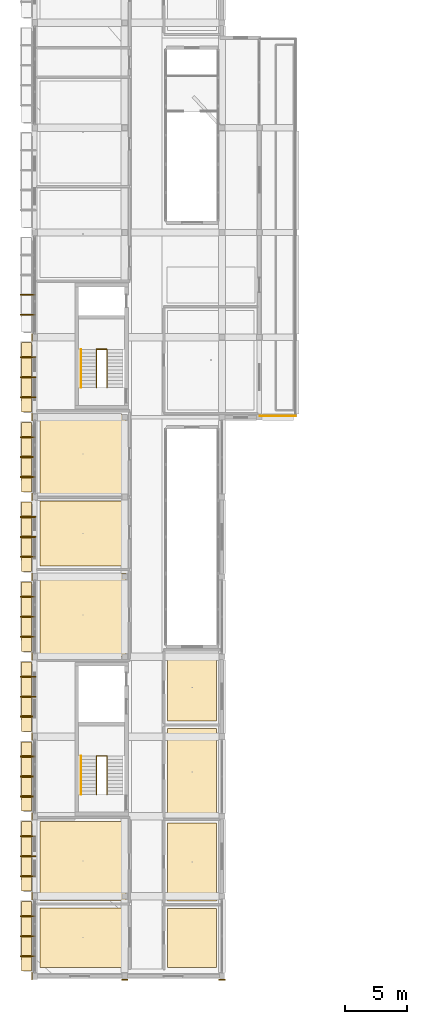
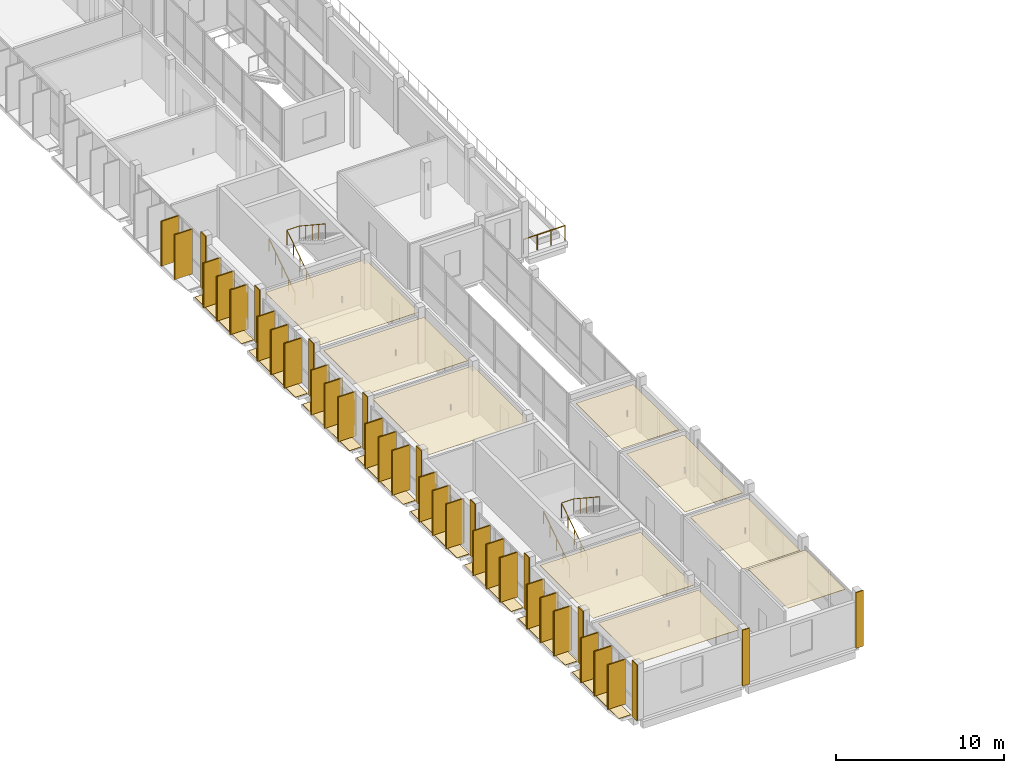
# One storey, part 77 of 86: 54 coverings, 26 shading devices, 5 railings.
"""IFC4 building model written with IfcOpenShell, lengths in metres."""

from ifc_helpers import new_model, si_unit, derived_unit, direction, frame, origin, origin_2d, place, context, subcontext, project, spatial, polyline, rectangle, circle, outline, extrude, material, layer, layer_set, type_object, element, save


model = new_model("IFC4")

# Units and contexts
model_context = context("Model", 3, precision=1e-05, world=origin(), true_north=direction((0.0, 1.0)))
body_context = subcontext(model_context, "Body", "Model", "MODEL_VIEW")
ifc_project = project(units=[si_unit("LENGTHUNIT", "METRE"), si_unit("AREAUNIT", "SQUARE_METRE"), si_unit("VOLUMEUNIT", "CUBIC_METRE"), si_unit("PLANEANGLEUNIT", "RADIAN"), si_unit("MASSUNIT", "GRAM", prefix="KILO"), derived_unit("THERMALTRANSMITTANCEUNIT", [(si_unit("POWERUNIT", "WATT"), 1), (si_unit("LENGTHUNIT", "METRE"), -2), (si_unit("THERMODYNAMICTEMPERATUREUNIT", "KELVIN"), -1)])], contexts=[model_context])

# Site, building, storey
site_placement = place(None, origin())
site = spatial("IfcSite", under=ifc_project, at=site_placement, CompositionType="ELEMENT")
building_placement = place(site_placement, origin())
building = spatial("IfcBuilding", under=site, at=building_placement, Name="Braskholm Square Health Centre", CompositionType="ELEMENT")
storey_placement = place(building_placement, frame((0.0, 0.0, 13.5)))
storey = spatial("IfcBuildingStorey", under=building, at=storey_placement, Name="L04", CompositionType="ELEMENT", Elevation=13.5)

# Coverings
ifc_material_1 = material(Name="Fire-rated gypsum board barrier")
ifc_layer_1 = layer(ifc_material_1, 0.02490234375)
ifc_layer_set_1 = layer_set([ifc_layer_1], Name="Fire-rated gypsum board barrier")
covering_type_1 = type_object("IfcCoveringType", Name="AcousticClinicalCeilingTile", PredefinedType="CEILING", material=ifc_layer_set_1)
covering_1_placement = place(storey_placement, frame((0.0, 0.0, 3.3349609375)))
element("IfcCovering", 1, at=covering_1_placement, inside=storey, type_object=covering_type_1, Name="Acoustic ceiling L04-098", PredefinedType="CEILING", context=body_context, shape_type="SweptSolid", body=[
    extrude(outline(polyline([(4.6201171875, 4.89990234375), (11.5, 4.89990234375), (11.5, 9.669921875), (4.6201171875, 9.669921875), (4.6201171875, 4.89990234375)])), origin(), (0.0, 0.0, 1.0), 0.025146484375),
])
covering_2_placement = place(storey_placement, frame((0.0, 0.0, 3.31494140625)))
element("IfcCovering", 2, at=covering_2_placement, inside=storey, type_object=covering_type_1, Name="Acoustic ceiling L04-099", PredefinedType="CEILING", context=body_context, shape_type="SweptSolid", body=[
    extrude(outline(polyline([(4.6201171875, 10.27001953125), (11.5, 10.27001953125), (11.5, 16.60009765625), (4.6201171875, 16.60009765625), (4.6201171875, 10.27001953125)])), origin(), (0.0, 0.0, 1.0), 0.025146484375),
])
covering_3_placement = place(storey_placement, frame((0.0, 0.0, 3.31494140625)))
element("IfcCovering", 3, at=covering_3_placement, inside=storey, type_object=covering_type_1, Name="Acoustic ceiling L04-100", PredefinedType="CEILING", context=body_context, shape_type="SweptSolid", body=[
    extrude(outline(polyline([(4.6201171875, 29.800048828125), (11.5, 29.800048828125), (11.5, 36.47998046875), (4.6201171875, 36.47998046875), (4.6201171875, 29.800048828125)])), origin(), (0.0, 0.0, 1.0), 0.025146484375),
])
covering_4_placement = place(storey_placement, frame((0.0, 0.0, 3.31494140625)))
element("IfcCovering", 4, at=covering_4_placement, inside=storey, type_object=covering_type_1, Name="Acoustic ceiling L04-101", PredefinedType="CEILING", context=body_context, shape_type="SweptSolid", body=[
    extrude(outline(polyline([(4.6201171875, 37.080078125), (11.5, 37.080078125), (11.5, 42.280029296875), (4.6201171875, 42.280029296875), (4.6201171875, 37.080078125)])), origin(), (0.0, 0.0, 1.0), 0.025146484375),
])
covering_5_placement = place(storey_placement, frame((0.0, 0.0, 3.31494140625)))
element("IfcCovering", 5, at=covering_5_placement, inside=storey, type_object=covering_type_1, Name="Acoustic ceiling L04-102", PredefinedType="CEILING", context=body_context, shape_type="SweptSolid", body=[
    extrude(outline(polyline([(4.6201171875, 42.8798828125), (11.5, 42.8798828125), (11.5, 49.199951171875), (4.6201171875, 49.199951171875), (4.6201171875, 42.8798828125)])), origin(), (0.0, 0.0, 1.0), 0.025146484375),
])
covering_6_placement = place(storey_placement, frame((0.0, 0.0, 3.715087890625)))
element("IfcCovering", 6, at=covering_6_placement, inside=storey, type_object=covering_type_1, Name="Acoustic ceiling L04-110", PredefinedType="CEILING", context=body_context, shape_type="SweptSolid", body=[
    extrude(outline(polyline([(14.85009765625, 4.89990234375), (18.780029296875, 4.89990234375), (18.780029296875, 9.6201171875), (14.85009765625, 9.6201171875), (14.85009765625, 4.89990234375)])), origin(), (0.0, 0.0, 1.0), 0.02490234375),
])
covering_7_placement = place(storey_placement, frame((0.0, 0.0, 3.31494140625)))
element("IfcCovering", 7, at=covering_7_placement, inside=storey, type_object=covering_type_1, Name="Acoustic ceiling L04-111", PredefinedType="CEILING", context=body_context, shape_type="SweptSolid", body=[
    extrude(outline(polyline([(14.85009765625, 10.219970703125), (18.780029296875, 10.219970703125), (18.780029296875, 16.469970703125), (14.85009765625, 16.469970703125), (14.85009765625, 10.219970703125)])), origin(), (0.0, 0.0, 1.0), 0.025146484375),
])
covering_8_placement = place(storey_placement, frame((0.0, 0.0, 3.31494140625)))
element("IfcCovering", 8, at=covering_8_placement, inside=storey, type_object=covering_type_1, Name="Acoustic ceiling L04-112", PredefinedType="CEILING", context=body_context, shape_type="SweptSolid", body=[
    extrude(outline(polyline([(14.85009765625, 17.070068359375), (18.780029296875, 17.070068359375), (18.780029296875, 24.030029296875), (14.85009765625, 24.030029296875), (14.85009765625, 17.070068359375)])), origin(), (0.0, 0.0, 1.0), 0.025146484375),
])
covering_9_placement = place(storey_placement, frame((0.0, 0.0, 3.31494140625)))
element("IfcCovering", 9, at=covering_9_placement, inside=storey, type_object=covering_type_1, Name="Acoustic ceiling L04-113", PredefinedType="CEILING", context=body_context, shape_type="SweptSolid", body=[
    extrude(outline(polyline([(14.85009765625, 24.6298828125), (18.780029296875, 24.6298828125), (18.780029296875, 30.050048828125), (14.85009765625, 30.050048828125), (14.85009765625, 24.6298828125)])), origin(), (0.0, 0.0, 1.0), 0.025146484375),
])

# Railings
ifc_material_2 = material(Name="Dark patinated chevron architectural bronze", Category="aluminium")
railing_type_1 = type_object("IfcRailingType", Name="BronzeChevronGuardrail1100", PredefinedType="GUARDRAIL", material=ifc_material_2)
railing_1_placement = place(storey_placement, frame((9.1298828125, 18.760009765625, 0.0)))
element("IfcRailing", 10, at=railing_1_placement, inside=storey, type_object=railing_type_1, Name="Stair ST-01 inner well guardrail L04", PredefinedType="GUARDRAIL", context=body_context, shape_type="SweptSolid", body=[
    extrude(circle(Radius=0.02392578125, at=origin_2d()), frame((0.0, 0.0, 1.076171875), z_axis=(0.0, 0.835599505946, 0.549339117178), x_axis=(-1.0, 0.0, 0.0)), (0.0, 0.0, 1.0), 3.68603515625),
    extrude(circle(Radius=0.02392578125, at=origin_2d()), frame((0.0, 3.080078125, 3.10107421875), z_axis=(1.0, 0.0, 0.0), x_axis=(0.0, 1.0, 0.0)), (0.0, 0.0, 1.0), 0.840087890625),
    extrude(circle(Radius=0.02392578125, at=origin_2d()), frame((0.840087890625, 3.080078125, 3.10107421875), z_axis=(0.0, -0.83556910286, 0.549385360512), x_axis=(1.0, 0.0, 0.0)), (0.0, 0.0, 1.0), 3.686279296875),
    extrude(circle(Radius=0.02099609375, at=origin_2d()), origin(), (0.0, 0.0, 1.0), 1.052001953125),
    extrude(circle(Radius=0.02099609375, at=origin_2d()), frame((0.0, 0.77001953125, 0.50634765625)), (0.0, 0.0, 1.0), 1.052001953125),
    extrude(circle(Radius=0.02099609375, at=origin_2d()), frame((0.0, 1.5400390625, 1.012451171875)), (0.0, 0.0, 1.0), 1.052001953125),
    extrude(circle(Radius=0.02099609375, at=origin_2d()), frame((0.0, 2.31005859375, 1.5185546875)), (0.0, 0.0, 1.0), 1.052001953125),
    extrude(circle(Radius=0.02099609375, at=origin_2d()), frame((0.0, 3.080078125, 2.02490234375)), (0.0, 0.0, 1.0), 1.052001953125),
    extrude(circle(Radius=0.02099609375, at=origin_2d()), frame((0.840087890625, 3.080078125, 2.02490234375)), (0.0, 0.0, 1.0), 1.052001953125),
    extrude(circle(Radius=0.02099609375, at=origin_2d()), frame((0.840087890625, 2.31005859375, 2.53125)), (0.0, 0.0, 1.0), 1.052001953125),
    extrude(circle(Radius=0.02099609375, at=origin_2d()), frame((0.840087890625, 1.5400390625, 3.03759765625)), (0.0, 0.0, 1.0), 1.052001953125),
    extrude(circle(Radius=0.02099609375, at=origin_2d()), frame((0.840087890625, 0.77001953125, 3.543701171875)), (0.0, 0.0, 1.0), 1.052001953125),
    extrude(circle(Radius=0.02099609375, at=origin_2d()), frame((0.840087890625, 0.0, 4.050048828125)), (0.0, 0.0, 1.0), 1.052001953125),
])
railing_2_placement = place(storey_placement, frame((9.1298828125, 51.360107421875, 0.0)))
element("IfcRailing", 11, at=railing_2_placement, inside=storey, type_object=railing_type_1, Name="Stair ST-02 inner well guardrail L04", PredefinedType="GUARDRAIL", context=body_context, shape_type="SweptSolid", body=[
    extrude(circle(Radius=0.02392578125, at=origin_2d()), frame((0.0, 0.0, 1.076171875), z_axis=(0.0, 0.83557951683, 0.54936952141), x_axis=(-1.0, 0.0, 0.0)), (0.0, 0.0, 1.0), 3.685791015625),
    extrude(circle(Radius=0.02392578125, at=origin_2d()), frame((0.0, 3.079833984375, 3.10107421875), z_axis=(1.0, 0.0, 0.0), x_axis=(0.0, 1.0, 0.0)), (0.0, 0.0, 1.0), 0.840087890625),
    extrude(circle(Radius=0.02392578125, at=origin_2d()), frame((0.840087890625, 3.079833984375, 3.10107421875), z_axis=(0.0, -0.835549111106, 0.549415765091), x_axis=(1.0, 0.0, 0.0)), (0.0, 0.0, 1.0), 3.68603515625),
    extrude(circle(Radius=0.02099609375, at=origin_2d()), origin(), (0.0, 0.0, 1.0), 1.052001953125),
    extrude(circle(Radius=0.02099609375, at=origin_2d()), frame((0.0, 0.77001953125, 0.50634765625)), (0.0, 0.0, 1.0), 1.052001953125),
    extrude(circle(Radius=0.02099609375, at=origin_2d()), frame((0.0, 1.5400390625, 1.012451171875)), (0.0, 0.0, 1.0), 1.052001953125),
    extrude(circle(Radius=0.02099609375, at=origin_2d()), frame((0.0, 2.309814453125, 1.5185546875)), (0.0, 0.0, 1.0), 1.052001953125),
    extrude(circle(Radius=0.02099609375, at=origin_2d()), frame((0.0, 3.079833984375, 2.02490234375)), (0.0, 0.0, 1.0), 1.052001953125),
    extrude(circle(Radius=0.02099609375, at=origin_2d()), frame((0.840087890625, 3.079833984375, 2.02490234375)), (0.0, 0.0, 1.0), 1.052001953125),
    extrude(circle(Radius=0.02099609375, at=origin_2d()), frame((0.840087890625, 2.309814453125, 2.53125)), (0.0, 0.0, 1.0), 1.052001953125),
    extrude(circle(Radius=0.02099609375, at=origin_2d()), frame((0.840087890625, 1.5400390625, 3.03759765625)), (0.0, 0.0, 1.0), 1.052001953125),
    extrude(circle(Radius=0.02099609375, at=origin_2d()), frame((0.840087890625, 0.77001953125, 3.543701171875)), (0.0, 0.0, 1.0), 1.052001953125),
    extrude(circle(Radius=0.02099609375, at=origin_2d()), frame((0.840087890625, 0.0, 4.050048828125)), (0.0, 0.0, 1.0), 1.052001953125),
])
railing_3_placement = place(storey_placement, frame((22.25, 49.10009765625, 0.0)))
element("IfcRailing", 12, at=railing_3_placement, inside=storey, type_object=railing_type_1, Name="Bronze chevron guardrail 0041 L04", PredefinedType="GUARDRAIL", context=body_context, shape_type="SweptSolid", body=[
    extrude(circle(Radius=0.02392578125, at=origin_2d()), frame((0.0, 0.0, 1.076171875), z_axis=(1.0, 0.0, 0.0), x_axis=(0.0, 1.0, 0.0)), (0.0, 0.0, 1.0), 2.85009765625),
    extrude(circle(Radius=0.02099609375, at=origin_2d()), origin(), (0.0, 0.0, 1.0), 1.052001953125),
    extrude(circle(Radius=0.02099609375, at=origin_2d()), frame((0.949951171875, 0.0, 0.0)), (0.0, 0.0, 1.0), 1.052001953125),
    extrude(circle(Radius=0.02099609375, at=origin_2d()), frame((1.900146484375, 0.0, 0.0)), (0.0, 0.0, 1.0), 1.052001953125),
    extrude(circle(Radius=0.02099609375, at=origin_2d()), frame((2.85009765625, 0.0, 0.0)), (0.0, 0.0, 1.0), 1.052001953125),
])

# Shading devices
ifc_material_3 = material(Name="Thermally modified western red cedar with bronze trim", Category="wood")
shading_device_type = type_object("IfcShadingDeviceType", Name="CedarBronzeShadingFin1250", PredefinedType="USERDEFINED", material=ifc_material_3)
for number, where, z_axis, x_axis, name in (
    (13, (3.635009765625, 5.800048828125, 0.0), (0.0, 0.0, 1.0), (1.0, 0.0, 0.0), "Warm cedar-bronze vertical shading slat 0103"),
    (14, (3.635009765625, 7.39990234375, 0.0), (0.0, 0.0, 1.0), (1.0, 0.0, 0.0), "Warm cedar-bronze vertical shading slat 0104"),
    (15, (3.635009765625, 9.0, 0.0), (0.0, 0.0, 1.0), (1.0, 0.0, 0.0), "Warm cedar-bronze vertical shading slat 0105"),
    (16, (3.635009765625, 12.199951171875, 0.0), (0.0, 0.0, 1.0), (1.0, 0.0, 0.0), "Warm cedar-bronze vertical shading slat 0106"),
    (17, (3.635009765625, 13.800048828125, 0.0), (0.0, 0.0, 1.0), (1.0, 0.0, 0.0), "Warm cedar-bronze vertical shading slat 0107"),
    (18, (3.635009765625, 15.39990234375, 0.0), (0.0, 0.0, 1.0), (1.0, 0.0, 0.0), "Warm cedar-bronze vertical shading slat 0108"),
    (19, (3.635009765625, 18.60009765625, 0.0), (0.0, 0.0, 1.0), (1.0, 0.0, 0.0), "Warm cedar-bronze vertical shading slat 0109"),
    (20, (3.635009765625, 20.199951171875, 0.0), (0.0, 0.0, 1.0), (1.0, 0.0, 0.0), "Warm cedar-bronze vertical shading slat 0110"),
    (21, (3.635009765625, 21.800048828125, 0.0), (0.0, 0.0, 1.0), (1.0, 0.0, 0.0), "Warm cedar-bronze vertical shading slat 0111"),
    (22, (3.635009765625, 25.0, 0.0), (0.0, 0.0, 1.0), (1.0, 0.0, 0.0), "Warm cedar-bronze vertical shading slat 0112"),
    (23, (3.635009765625, 26.60009765625, 0.0), (0.0, 0.0, 1.0), (1.0, 0.0, 0.0), "Warm cedar-bronze vertical shading slat 0113"),
    (24, (3.635009765625, 28.199951171875, 0.0), (0.0, 0.0, 1.0), (1.0, 0.0, 0.0), "Warm cedar-bronze vertical shading slat 0114"),
    (25, (3.635009765625, 31.39990234375, 0.0), (0.0, 0.0, 1.0), (1.0, 0.0, 0.0), "Warm cedar-bronze vertical shading slat 0115"),
    (26, (3.635009765625, 33.0, 0.0), (0.0, 0.0, 1.0), (1.0, 0.0, 0.0), "Warm cedar-bronze vertical shading slat 0116"),
    (27, (3.635009765625, 34.60009765625, 0.0), (0.0, 0.0, 1.0), (1.0, 0.0, 0.0), "Warm cedar-bronze vertical shading slat 0117"),
    (28, (3.635009765625, 37.800048828125, 0.0), (0.0, 0.0, 1.0), (1.0, 0.0, 0.0), "Warm cedar-bronze vertical shading slat 0118"),
    (29, (3.635009765625, 39.39990234375, 0.0), (0.0, 0.0, 1.0), (1.0, 0.0, 0.0), "Warm cedar-bronze vertical shading slat 0119"),
    (30, (3.635009765625, 41.0, 0.0), (0.0, 0.0, 1.0), (1.0, 0.0, 0.0), "Warm cedar-bronze vertical shading slat 0120"),
    (31, (3.635009765625, 44.199951171875, 0.0), (0.0, 0.0, 1.0), (1.0, 0.0, 0.0), "Warm cedar-bronze vertical shading slat 0121"),
    (32, (3.635009765625, 45.800048828125, 0.0), (0.0, 0.0, 1.0), (1.0, 0.0, 0.0), "Warm cedar-bronze vertical shading slat 0122"),
    (33, (3.635009765625, 47.39990234375, 0.0), (0.0, 0.0, 1.0), (1.0, 0.0, 0.0), "Warm cedar-bronze vertical shading slat 0123"),
    (34, (3.635009765625, 50.60009765625, 0.0), (0.0, 0.0, 1.0), (1.0, 0.0, 0.0), "Warm cedar-bronze vertical shading slat 0124"),
    (35, (3.635009765625, 52.199951171875, 0.0), (0.0, 0.0, 1.0), (1.0, 0.0, 0.0), "Warm cedar-bronze vertical shading slat 0125"),
    (36, (3.635009765625, 53.800048828125, 0.0), (0.0, 0.0, 1.0), (1.0, 0.0, 0.0), "Warm cedar-bronze vertical shading slat 0126"),
    (37, (3.635009765625, 57.199951171875, 0.0), (0.0, 0.0, 1.0), (1.0, 0.0, 0.0), "Warm cedar-bronze vertical shading slat 0127"),
    (38, (3.635009765625, 58.800048828125, 0.0), (0.0, 0.0, 1.0), (1.0, 0.0, 0.0), "Warm cedar-bronze vertical shading slat 0128"),
):
    element("IfcShadingDevice", number, at=place(storey_placement, frame(where, z_axis=z_axis, x_axis=x_axis)), inside=storey, type_object=shading_device_type, Name=name, ObjectType="FIN", PredefinedType="USERDEFINED", context=body_context, shape_type="SweptSolid", body=[
        extrude(rectangle(XDim=1.25, YDim=0.0849609375, at=origin_2d()), origin(), (0.0, 0.0, 1.0), 3.25),
    ])

# Coverings
ifc_layer_2 = layer(ifc_material_3, 0.0849609375)
ifc_layer_set_2 = layer_set([ifc_layer_2], Name="Thermally modified western red cedar with bronze trim")
covering_type_2 = type_object("IfcCoveringType", Name="CedarBronzeSlatCladding", PredefinedType="CLADDING", material=ifc_layer_set_2)
for number, where, z_axis, x_axis, name in (
    (39, (3.6298828125, 5.800048828125, 0.0), (0.0, 0.0, 1.0), (1.0, 0.0, 0.0), "Cedar-bronze shading slat trim 0530"),
    (40, (3.6298828125, 7.39990234375, 0.0), (0.0, 0.0, 1.0), (1.0, 0.0, 0.0), "Cedar-bronze shading slat trim 0531"),
    (41, (3.6298828125, 9.0, 0.0), (0.0, 0.0, 1.0), (1.0, 0.0, 0.0), "Cedar-bronze shading slat trim 0532"),
    (42, (3.6298828125, 12.199951171875, 0.0), (0.0, 0.0, 1.0), (1.0, 0.0, 0.0), "Cedar-bronze shading slat trim 0534"),
    (43, (3.6298828125, 13.800048828125, 0.0), (0.0, 0.0, 1.0), (1.0, 0.0, 0.0), "Cedar-bronze shading slat trim 0535"),
    (44, (3.6298828125, 15.39990234375, 0.0), (0.0, 0.0, 1.0), (1.0, 0.0, 0.0), "Cedar-bronze shading slat trim 0536"),
    (45, (3.6298828125, 18.60009765625, 0.0), (0.0, 0.0, 1.0), (1.0, 0.0, 0.0), "Cedar-bronze shading slat trim 0538"),
    (46, (3.6298828125, 20.199951171875, 0.0), (0.0, 0.0, 1.0), (1.0, 0.0, 0.0), "Cedar-bronze shading slat trim 0539"),
    (47, (3.6298828125, 21.800048828125, 0.0), (0.0, 0.0, 1.0), (1.0, 0.0, 0.0), "Cedar-bronze shading slat trim 0540"),
    (48, (3.6298828125, 25.0, 0.0), (0.0, 0.0, 1.0), (1.0, 0.0, 0.0), "Cedar-bronze shading slat trim 0542"),
    (49, (3.6298828125, 26.60009765625, 0.0), (0.0, 0.0, 1.0), (1.0, 0.0, 0.0), "Cedar-bronze shading slat trim 0543"),
    (50, (3.6298828125, 28.199951171875, 0.0), (0.0, 0.0, 1.0), (1.0, 0.0, 0.0), "Cedar-bronze shading slat trim 0544"),
    (51, (3.6298828125, 31.39990234375, 0.0), (0.0, 0.0, 1.0), (1.0, 0.0, 0.0), "Cedar-bronze shading slat trim 0546"),
    (52, (3.6298828125, 33.0, 0.0), (0.0, 0.0, 1.0), (1.0, 0.0, 0.0), "Cedar-bronze shading slat trim 0547"),
    (53, (3.6298828125, 34.60009765625, 0.0), (0.0, 0.0, 1.0), (1.0, 0.0, 0.0), "Cedar-bronze shading slat trim 0548"),
    (54, (3.6298828125, 37.800048828125, 0.0), (0.0, 0.0, 1.0), (1.0, 0.0, 0.0), "Cedar-bronze shading slat trim 0550"),
    (55, (3.6298828125, 39.39990234375, 0.0), (0.0, 0.0, 1.0), (1.0, 0.0, 0.0), "Cedar-bronze shading slat trim 0551"),
    (56, (3.6298828125, 41.0, 0.0), (0.0, 0.0, 1.0), (1.0, 0.0, 0.0), "Cedar-bronze shading slat trim 0552"),
    (57, (3.6298828125, 44.199951171875, 0.0), (0.0, 0.0, 1.0), (1.0, 0.0, 0.0), "Cedar-bronze shading slat trim 0554"),
    (58, (3.6298828125, 45.800048828125, 0.0), (0.0, 0.0, 1.0), (1.0, 0.0, 0.0), "Cedar-bronze shading slat trim 0555"),
    (59, (3.6298828125, 47.39990234375, 0.0), (0.0, 0.0, 1.0), (1.0, 0.0, 0.0), "Cedar-bronze shading slat trim 0556"),
    (60, (3.6298828125, 50.60009765625, 0.0), (0.0, 0.0, 1.0), (1.0, 0.0, 0.0), "Cedar-bronze shading slat trim 0558"),
    (61, (3.6298828125, 52.199951171875, 0.0), (0.0, 0.0, 1.0), (1.0, 0.0, 0.0), "Cedar-bronze shading slat trim 0559"),
    (62, (3.6298828125, 53.800048828125, 0.0), (0.0, 0.0, 1.0), (1.0, 0.0, 0.0), "Cedar-bronze shading slat trim 0560"),
    (63, (3.6298828125, 57.199951171875, 0.0), (0.0, 0.0, 1.0), (1.0, 0.0, 0.0), "Cedar-bronze shading slat trim 0562"),
    (64, (3.6298828125, 58.800048828125, 0.0), (0.0, 0.0, 1.0), (1.0, 0.0, 0.0), "Cedar-bronze shading slat trim 0563"),
):
    element("IfcCovering", number, at=place(storey_placement, frame(where, z_axis=z_axis, x_axis=x_axis)), inside=storey, type_object=covering_type_2, Name=name, PredefinedType="CLADDING", context=body_context, shape_type="SweptSolid", body=[
        extrude(rectangle(XDim=1.179931640625, YDim=0.094970703125, at=origin_2d()), origin(), (0.0, 0.0, 1.0), 3.25),
    ])
ifc_material_4 = material(Name="Intensive botanical sedum and native prairie garden bed")
ifc_layer_3 = layer(ifc_material_4, 0.02490234375)
ifc_layer_set_3 = layer_set([ifc_layer_3], Name="Intensive botanical sedum and native prairie garden bed")
covering_type_3 = type_object("IfcCoveringType", Name="PlantedTerraceGardenBed", PredefinedType="ROOFING", material=ifc_layer_set_3)
covering_10_placement = place(storey_placement, origin())
element("IfcCovering", 65, at=covering_10_placement, inside=storey, type_object=covering_type_3, Name="West floor planter ledge sedum strip 0533", PredefinedType="ROOFING", context=body_context, shape_type="SweptSolid", body=[
    extrude(outline(polyline([(3.1201171875, 4.6201171875), (3.949951171875, 4.6201171875), (3.949951171875, 10.179931640625), (3.1201171875, 10.179931640625), (3.1201171875, 4.6201171875)])), origin(), (0.0, 0.0, 1.0), 0.02490234375),
])
covering_11_placement = place(storey_placement, origin())
element("IfcCovering", 66, at=covering_11_placement, inside=storey, type_object=covering_type_3, Name="West floor planter ledge sedum strip 0537", PredefinedType="ROOFING", context=body_context, shape_type="SweptSolid", body=[
    extrude(outline(polyline([(3.1201171875, 11.02001953125), (3.949951171875, 11.02001953125), (3.949951171875, 16.580078125), (3.1201171875, 16.580078125), (3.1201171875, 11.02001953125)])), origin(), (0.0, 0.0, 1.0), 0.02490234375),
])
covering_12_placement = place(storey_placement, origin())
element("IfcCovering", 67, at=covering_12_placement, inside=storey, type_object=covering_type_3, Name="West floor planter ledge sedum strip 0541", PredefinedType="ROOFING", context=body_context, shape_type="SweptSolid", body=[
    extrude(outline(polyline([(3.1201171875, 17.419921875), (3.949951171875, 17.419921875), (3.949951171875, 22.97998046875), (3.1201171875, 22.97998046875), (3.1201171875, 17.419921875)])), origin(), (0.0, 0.0, 1.0), 0.02490234375),
])
covering_13_placement = place(storey_placement, origin())
element("IfcCovering", 68, at=covering_13_placement, inside=storey, type_object=covering_type_3, Name="West floor planter ledge sedum strip 0545", PredefinedType="ROOFING", context=body_context, shape_type="SweptSolid", body=[
    extrude(outline(polyline([(3.1201171875, 23.820068359375), (3.949951171875, 23.820068359375), (3.949951171875, 29.3798828125), (3.1201171875, 29.3798828125), (3.1201171875, 23.820068359375)])), origin(), (0.0, 0.0, 1.0), 0.02490234375),
])
covering_14_placement = place(storey_placement, origin())
element("IfcCovering", 69, at=covering_14_placement, inside=storey, type_object=covering_type_3, Name="West floor planter ledge sedum strip 0549", PredefinedType="ROOFING", context=body_context, shape_type="SweptSolid", body=[
    extrude(outline(polyline([(3.1201171875, 30.219970703125), (3.949951171875, 30.219970703125), (3.949951171875, 35.780029296875), (3.1201171875, 35.780029296875), (3.1201171875, 30.219970703125)])), origin(), (0.0, 0.0, 1.0), 0.02490234375),
])
covering_15_placement = place(storey_placement, origin())
element("IfcCovering", 70, at=covering_15_placement, inside=storey, type_object=covering_type_3, Name="West floor planter ledge sedum strip 0553", PredefinedType="ROOFING", context=body_context, shape_type="SweptSolid", body=[
    extrude(outline(polyline([(3.1201171875, 36.6201171875), (3.949951171875, 36.6201171875), (3.949951171875, 42.179931640625), (3.1201171875, 42.179931640625), (3.1201171875, 36.6201171875)])), origin(), (0.0, 0.0, 1.0), 0.02490234375),
])
covering_16_placement = place(storey_placement, origin())
element("IfcCovering", 71, at=covering_16_placement, inside=storey, type_object=covering_type_3, Name="West floor planter ledge sedum strip 0557", PredefinedType="ROOFING", context=body_context, shape_type="SweptSolid", body=[
    extrude(outline(polyline([(3.1201171875, 43.02001953125), (3.949951171875, 43.02001953125), (3.949951171875, 48.580078125), (3.1201171875, 48.580078125), (3.1201171875, 43.02001953125)])), origin(), (0.0, 0.0, 1.0), 0.02490234375),
])
covering_17_placement = place(storey_placement, origin())
element("IfcCovering", 72, at=covering_17_placement, inside=storey, type_object=covering_type_3, Name="West floor planter ledge sedum strip 0561", PredefinedType="ROOFING", context=body_context, shape_type="SweptSolid", body=[
    extrude(outline(polyline([(3.1201171875, 49.419921875), (3.949951171875, 49.419921875), (3.949951171875, 54.97998046875), (3.1201171875, 54.97998046875), (3.1201171875, 49.419921875)])), origin(), (0.0, 0.0, 1.0), 0.02490234375),
])
ifc_material_5 = material(Name="Precast concrete C40/50 architectural white", Category="concrete")
ifc_layer_4 = layer(ifc_material_5, 0.054931640625)
ifc_layer_set_4 = layer_set([ifc_layer_4], Name="Precast concrete C40/50 architectural white")
covering_type_4 = type_object("IfcCoveringType", Name="PrecastWhiteColumnCasing", PredefinedType="CLADDING", material=ifc_layer_set_4)
for number, where, z_axis, x_axis, name in (
    (73, (3.965087890625, 4.199951171875, 0.0), (0.0, 0.0, 1.0), (1.0, 0.0, 0.0), "Giant-order white precast column casing 0004"),
    (74, (3.965087890625, 10.60009765625, 0.0), (0.0, 0.0, 1.0), (1.0, 0.0, 0.0), "Giant-order white precast column casing 0013"),
    (75, (3.965087890625, 17.0, 0.0), (0.0, 0.0, 1.0), (1.0, 0.0, 0.0), "Giant-order white precast column casing 0022"),
    (76, (3.965087890625, 23.39990234375, 0.0), (0.0, 0.0, 1.0), (1.0, 0.0, 0.0), "Giant-order white precast column casing 0031"),
    (77, (3.965087890625, 29.800048828125, 0.0), (0.0, 0.0, 1.0), (1.0, 0.0, 0.0), "Giant-order white precast column casing 0040"),
    (78, (3.965087890625, 36.199951171875, 0.0), (0.0, 0.0, 1.0), (1.0, 0.0, 0.0), "Giant-order white precast column casing 0049"),
    (79, (3.965087890625, 42.60009765625, 0.0), (0.0, 0.0, 1.0), (1.0, 0.0, 0.0), "Giant-order white precast column casing 0058"),
    (80, (3.965087890625, 49.0, 0.0), (0.0, 0.0, 1.0), (1.0, 0.0, 0.0), "Giant-order white precast column casing 0067"),
    (81, (3.965087890625, 55.39990234375, 0.0), (0.0, 0.0, 1.0), (1.0, 0.0, 0.0), "Giant-order white precast column casing 0076"),
):
    element("IfcCovering", number, at=place(storey_placement, frame(where, z_axis=z_axis, x_axis=x_axis)), inside=storey, type_object=covering_type_4, Name=name, PredefinedType="CLADDING", context=body_context, shape_type="SweptSolid", body=[
        extrude(rectangle(XDim=0.06005859375, YDim=0.60009765625, at=origin_2d()), origin(), (0.0, 0.0, 1.0), 4.050048828125),
    ])
for number, where, z_axis, x_axis, name in (
    (82, (11.39990234375, 3.9150390625, 0.0), (0.0, 0.0, 1.0), (1.0, 0.0, 0.0), "Giant-order white precast column casing 0157"),
    (83, (19.199951171875, 3.9150390625, 0.0), (0.0, 0.0, 1.0), (1.0, 0.0, 0.0), "Giant-order white precast column casing 0169"),
):
    element("IfcCovering", number, at=place(storey_placement, frame(where, z_axis=z_axis, x_axis=x_axis)), inside=storey, type_object=covering_type_4, Name=name, PredefinedType="CLADDING", context=body_context, shape_type="SweptSolid", body=[
        extrude(rectangle(XDim=0.5, YDim=0.06005859375, at=origin_2d()), origin(), (0.0, 0.0, 1.0), 4.050048828125),
    ])

# Railings
railing_type_2 = type_object("IfcRailingType", Name="StairTubularHandrail915", PredefinedType="HANDRAIL", material=ifc_material_2)
railing_4_placement = place(storey_placement, frame((7.89990234375, 18.760009765625, 0.0)))
element("IfcRailing", 84, at=railing_4_placement, inside=storey, type_object=railing_type_2, Name="Stair ST-01 wall handrail F1 L04", PredefinedType="HANDRAIL", context=body_context, shape_type="SweptSolid", body=[
    extrude(circle(Radius=0.02392578125, at=origin_2d()), frame((0.0, 0.0, 0.89111328125), z_axis=(0.0, 0.835599505946, 0.549339117178), x_axis=(-1.0, 0.0, 0.0)), (0.0, 0.0, 1.0), 3.68603515625),
    extrude(circle(Radius=0.02099609375, at=origin_2d()), origin(), (0.0, 0.0, 1.0), 0.866943359375),
    extrude(circle(Radius=0.02099609375, at=origin_2d()), frame((0.0, 0.77001953125, 0.50634765625)), (0.0, 0.0, 1.0), 0.866943359375),
    extrude(circle(Radius=0.02099609375, at=origin_2d()), frame((0.0, 1.5400390625, 1.012451171875)), (0.0, 0.0, 1.0), 0.866943359375),
    extrude(circle(Radius=0.02099609375, at=origin_2d()), frame((0.0, 2.31005859375, 1.5185546875)), (0.0, 0.0, 1.0), 0.866943359375),
    extrude(circle(Radius=0.02099609375, at=origin_2d()), frame((0.0, 3.080078125, 2.02490234375)), (0.0, 0.0, 1.0), 0.866943359375),
])
railing_5_placement = place(storey_placement, frame((7.89990234375, 51.360107421875, 0.0)))
element("IfcRailing", 85, at=railing_5_placement, inside=storey, type_object=railing_type_2, Name="Stair ST-02 wall handrail F1 L04", PredefinedType="HANDRAIL", context=body_context, shape_type="SweptSolid", body=[
    extrude(circle(Radius=0.02392578125, at=origin_2d()), frame((0.0, 0.0, 0.89111328125), z_axis=(0.0, 0.83557951683, 0.54936952141), x_axis=(-1.0, 0.0, 0.0)), (0.0, 0.0, 1.0), 3.685791015625),
    extrude(circle(Radius=0.02099609375, at=origin_2d()), origin(), (0.0, 0.0, 1.0), 0.866943359375),
    extrude(circle(Radius=0.02099609375, at=origin_2d()), frame((0.0, 0.77001953125, 0.50634765625)), (0.0, 0.0, 1.0), 0.866943359375),
    extrude(circle(Radius=0.02099609375, at=origin_2d()), frame((0.0, 1.5400390625, 1.012451171875)), (0.0, 0.0, 1.0), 0.866943359375),
    extrude(circle(Radius=0.02099609375, at=origin_2d()), frame((0.0, 2.309814453125, 1.5185546875)), (0.0, 0.0, 1.0), 0.866943359375),
    extrude(circle(Radius=0.02099609375, at=origin_2d()), frame((0.0, 3.079833984375, 2.02490234375)), (0.0, 0.0, 1.0), 0.866943359375),
])

save(model, "model.ifc")
